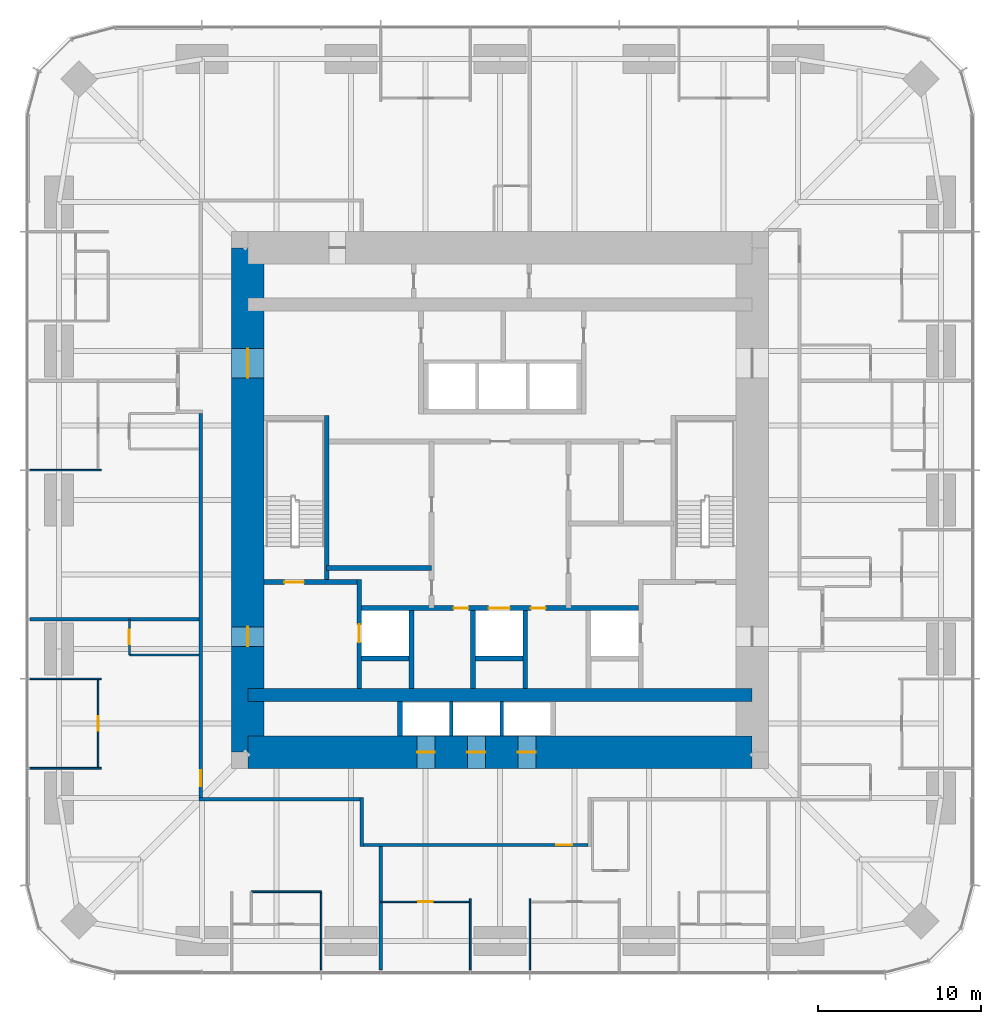
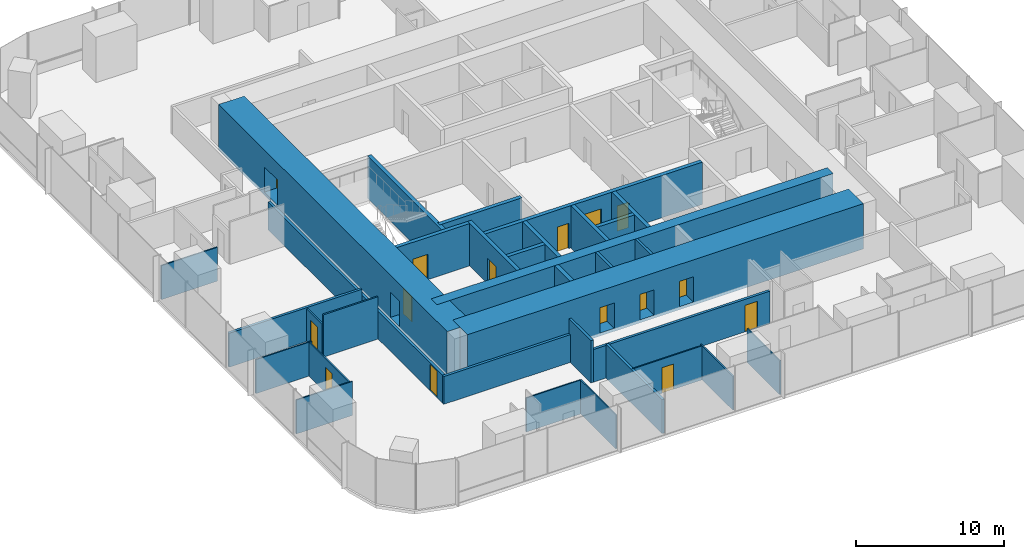
# One storey, part 9 of 13: 33 walls, 15 doors, 15 openings.
"""IFC4 building model written with IfcOpenShell, lengths in metres."""

from ifc_helpers import new_model, si_unit, direction, frame, frame_2d, origin, place, context, subcontext, project, spatial, rectangle, extrude, material, layer, layer_set, type_object, element, fill, save


model = new_model("IFC4")

# Units and contexts
model_context = context("Model", 3, precision=1e-05, world=origin(), true_north=direction((0.0, 1.0)))
body_context = subcontext(model_context, "Body", "Model", "MODEL_VIEW")
ifc_project = project(units=[si_unit("LENGTHUNIT", "METRE"), si_unit("AREAUNIT", "SQUARE_METRE"), si_unit("VOLUMEUNIT", "CUBIC_METRE"), si_unit("PLANEANGLEUNIT", "RADIAN"), si_unit("MASSUNIT", "GRAM", prefix="KILO")], contexts=[model_context])

# Site, building, storey
site_placement = place(None, origin())
site = spatial("IfcSite", under=ifc_project, at=site_placement, CompositionType="ELEMENT")
building_placement = place(site_placement, origin())
building = spatial("IfcBuilding", under=site, at=building_placement, Name="Khuree Lantern Residences", CompositionType="ELEMENT")
storey_placement = place(building_placement, frame((0.0, 0.0, 122.25)))
storey = spatial("IfcBuildingStorey", under=building, at=storey_placement, Name="L30", CompositionType="ELEMENT", Elevation=122.25)

# Wall, opening, door
ifc_material_1 = material(Name="Moisture-resistant gypsum board on steel studs", Category="steel")
ifc_layer_1 = layer(ifc_material_1, 0.125)
ifc_layer_set_1 = layer_set([ifc_layer_1], Name="BATHROOM WALL BTW125")
wall_type_1 = type_object("IfcWallType", Name="BATHROOM WALL BTW125", PredefinedType="PARTITIONING", material=ifc_layer_set_1)
wall_1_placement = place(storey_placement, frame((-22.77978515625, -7.327880859375, 0.0), z_axis=(0.0, 0.0, 1.0), x_axis=(0.0, -1.0, 0.0)))
wall_1 = element("IfcWall", 1, at=wall_1_placement, inside=storey, type_object=wall_type_1, Name="L30 BATHROOM WALL 05", PredefinedType="PARTITIONING", context=body_context, shape_type="SweptSolid", body=[
    extrude(rectangle(XDim=2.2001953125, YDim=0.125, at=frame_2d((1.10009765625, 0.0))), origin(), (0.0, 0.0, 1.0), 2.699951171875),
])
opening_1_placement = place(wall_1_placement, frame((0.64990234375, 0.0, 0.0)))
opening_1 = element("IfcOpeningElement", 2, at=opening_1_placement, cuts=wall_1, Name="Opening 30-046", PredefinedType="OPENING", context=body_context, shape_type="SweptSolid", body=[
    extrude(rectangle(XDim=0.89990234375, YDim=2.10009765625, at=frame_2d((0.449951171875, 1.050048828125))), frame((0.0, 0.072509765625, 0.0), z_axis=(0.0, -1.0, 0.0), x_axis=(1.0, 0.0, 0.0)), (0.0, 0.0, 1.0), 0.14501953125),
])
ifc_material_2 = material(Name="Timber door leaf in hardwood frame", Category="wood")
door_type_1 = type_object("IfcDoorType", Name="BATHROOM DOOR 900X2100", OperationType="SINGLE_SWING_LEFT", PredefinedType="DOOR", material=ifc_material_2)
door_1_placement = place(opening_1_placement, origin())
door_1 = element("IfcDoor", 3, at=door_1_placement, inside=storey, type_object=door_type_1, Name="Bathroom door 30-046", OperationType="SINGLE_SWING_LEFT", OverallHeight=2.10009765625, OverallWidth=0.89990234375, PredefinedType="DOOR", context=body_context, shape_type="SweptSolid", body=[
    extrude(rectangle(XDim=0.89990234375, YDim=2.10009765625, at=frame_2d((0.449951171875, 1.050048828125))), frame((0.0, 0.02490234375, 0.0), z_axis=(0.0, -1.0, 0.0), x_axis=(1.0, 0.0, 0.0)), (0.0, 0.0, 1.0), 0.050048828125),
])
fill(opening_1, door_1)

# Wall
wall_2_placement = place(storey_placement, frame((-18.5, -9.528076171875, 0.0), z_axis=(0.0, 0.0, 1.0), x_axis=(-1.0, 0.0, 0.0)))
element("IfcWall", 4, at=wall_2_placement, inside=storey, type_object=wall_type_1, Name="L30 BATHROOM WALL 05", PredefinedType="PARTITIONING", context=body_context, shape_type="SweptSolid", body=[
    extrude(rectangle(XDim=4.27978515625, YDim=0.125, at=frame_2d((2.139892578125, 0.0))), origin(), (0.0, 0.0, 1.0), 3.5),
])

# Wall, opening, door
ifc_material_3 = material(Name="Dense concrete blockwork", Category="masonry")
ifc_layer_2 = layer(ifc_material_3, 0.300048828125)
ifc_layer_set_2 = layer_set([ifc_layer_2], Name="CORE PARTITION WALL CPW300 EI 120")
wall_type_2 = type_object("IfcWallType", Name="CORE PARTITION WALL CPW300 EI 120", PredefinedType="PARTITIONING", material=ifc_layer_set_2)
wall_3_placement = place(storey_placement, frame((-8.64990234375, -11.60009765625, 0.0), z_axis=(0.0, 0.0, 1.0), x_axis=(0.0, 1.0, 0.0)))
wall_3 = element("IfcWall", 5, at=wall_3_placement, inside=storey, type_object=wall_type_2, Name="L30 CORE WALL FL1W", PredefinedType="PARTITIONING", context=body_context, shape_type="SweptSolid", body=[
    extrude(rectangle(XDim=6.7001953125, YDim=0.300048828125, at=frame_2d((3.35009765625, 0.0))), origin(), (0.0, 0.0, 1.0), 3.5),
])
opening_2_placement = place(wall_3_placement, frame((2.85009765625, 0.0, 0.0)))
opening_2 = element("IfcOpeningElement", 6, at=opening_2_placement, cuts=wall_3, Name="Opening 30-007", PredefinedType="OPENING", context=body_context, shape_type="SweptSolid", body=[
    extrude(rectangle(XDim=1.10009765625, YDim=2.10009765625, at=frame_2d((0.550048828125, 1.050048828125))), frame((0.0, 0.16015625, 0.0), z_axis=(0.0, -1.0, 0.0), x_axis=(1.0, 0.0, 0.0)), (0.0, 0.0, 1.0), 0.320068359375),
])
ifc_material_4 = material(Name="Stainless steel lift landing door", Category="steel")
door_type_2 = type_object("IfcDoorType", Name="LIFT LANDING DOOR 1100X2100 E 120", OperationType="DOUBLE_DOOR_SLIDING", PredefinedType="DOOR", material=ifc_material_4)
door_2_placement = place(opening_2_placement, origin())
door_2 = element("IfcDoor", 7, at=door_2_placement, inside=storey, type_object=door_type_2, Name="Landing door FL1 30-007", OperationType="DOUBLE_DOOR_SLIDING", OverallHeight=2.10009765625, OverallWidth=1.10009765625, PredefinedType="DOOR", context=body_context, shape_type="SweptSolid", body=[
    extrude(rectangle(XDim=1.10009765625, YDim=2.10009765625, at=frame_2d((0.550048828125, 1.050048828125))), frame((0.0, 0.02490234375, 0.0), z_axis=(0.0, -1.0, 0.0), x_axis=(1.0, 0.0, 0.0)), (0.0, 0.0, 1.0), 0.050048828125),
])
fill(opening_2, door_2)

# Wall, openings, doors
wall_4_placement = place(storey_placement, frame((-8.5, -6.64990234375, 0.0), z_axis=(0.0, 0.0, 1.0), x_axis=(1.0, 0.0, 0.0)))
wall_4 = element("IfcWall", 8, at=wall_4_placement, inside=storey, type_object=wall_type_2, Name="L30 CORE WALL FLROW", PredefinedType="PARTITIONING", context=body_context, shape_type="SweptSolid", body=[
    extrude(rectangle(XDim=17.0, YDim=0.300048828125, at=frame_2d((8.5, 0.0))), origin(), (0.0, 0.0, 1.0), 3.5),
])
opening_3_placement = place(wall_4_placement, frame((7.800048828125, 0.0, 0.0)))
opening_3 = element("IfcOpeningElement", 9, at=opening_3_placement, cuts=wall_4, Name="Opening 30-012", PredefinedType="OPENING", context=body_context, shape_type="SweptSolid", body=[
    extrude(rectangle(XDim=1.300048828125, YDim=2.39990234375, at=frame_2d((0.64990234375, 1.199951171875))), frame((0.0, 0.16015625, 0.0), z_axis=(0.0, -1.0, 0.0), x_axis=(1.0, 0.0, 0.0)), (0.0, 0.0, 1.0), 0.320068359375),
])
opening_4_placement = place(wall_4_placement, frame((5.64990234375, 0.0, 0.0)))
opening_4 = element("IfcOpeningElement", 10, at=opening_4_placement, cuts=wall_4, Name="Opening 30-014", PredefinedType="OPENING", context=body_context, shape_type="SweptSolid", body=[
    extrude(rectangle(XDim=0.89990234375, YDim=2.10009765625, at=frame_2d((0.449951171875, 1.050048828125))), frame((0.0, 0.16015625, 0.0), z_axis=(0.0, -1.0, 0.0), x_axis=(1.0, 0.0, 0.0)), (0.0, 0.0, 1.0), 0.320068359375),
])
opening_5_placement = place(wall_4_placement, frame((10.39990234375, 0.0, 0.0)))
opening_5 = element("IfcOpeningElement", 11, at=opening_5_placement, cuts=wall_4, Name="Opening 30-015", PredefinedType="OPENING", context=body_context, shape_type="SweptSolid", body=[
    extrude(rectangle(XDim=0.89990234375, YDim=2.10009765625, at=frame_2d((0.449951171875, 1.050048828125))), frame((0.0, 0.16015625, 0.0), z_axis=(0.0, -1.0, 0.0), x_axis=(1.0, 0.0, 0.0)), (0.0, 0.0, 1.0), 0.320068359375),
])
ifc_material_5 = material(Name="Steel door leaf in steel frame", Category="steel")
door_type_3 = type_object("IfcDoorType", Name="DOOR 900X2100 EI 60", OperationType="SINGLE_SWING_LEFT", PredefinedType="DOOR", material=ifc_material_5)
door_3_placement = place(opening_4_placement, origin())
door_3 = element("IfcDoor", 12, at=door_3_placement, inside=storey, type_object=door_type_3, Name="Refuse chute room door 30-014", OperationType="SINGLE_SWING_LEFT", OverallHeight=2.10009765625, OverallWidth=0.89990234375, PredefinedType="DOOR", context=body_context, shape_type="SweptSolid", body=[
    extrude(rectangle(XDim=0.89990234375, YDim=2.10009765625, at=frame_2d((0.449951171875, 1.050048828125))), frame((0.0, 0.02490234375, 0.0), z_axis=(0.0, -1.0, 0.0), x_axis=(1.0, 0.0, 0.0)), (0.0, 0.0, 1.0), 0.050048828125),
])
fill(opening_4, door_3)
door_type_4 = type_object("IfcDoorType", Name="DOOR 900X2100 EI 60 RIGHT HAND", OperationType="SINGLE_SWING_RIGHT", PredefinedType="DOOR", material=ifc_material_5)
door_4_placement = place(opening_5_placement, origin())
door_4 = element("IfcDoor", 13, at=door_4_placement, inside=storey, type_object=door_type_4, Name="Electrical and plumbing riser door 30-015", OperationType="SINGLE_SWING_RIGHT", OverallHeight=2.10009765625, OverallWidth=0.89990234375, PredefinedType="DOOR", context=body_context, shape_type="SweptSolid", body=[
    extrude(rectangle(XDim=0.89990234375, YDim=2.10009765625, at=frame_2d((0.449951171875, 1.050048828125))), frame((0.0, 0.02490234375, 0.0), z_axis=(0.0, -1.0, 0.0), x_axis=(1.0, 0.0, 0.0)), (0.0, 0.0, 1.0), 0.050048828125),
])
fill(opening_5, door_4)
door_type_5 = type_object("IfcDoorType", Name="LIFT LANDING DOOR 1300X2400 E 60", OperationType="DOUBLE_DOOR_SLIDING", PredefinedType="DOOR", material=ifc_material_4)
door_5_placement = place(opening_3_placement, origin())
door_5 = element("IfcDoor", 14, at=door_5_placement, inside=storey, type_object=door_type_5, Name="Landing door SL1 30-012", OperationType="DOUBLE_DOOR_SLIDING", OverallHeight=2.39990234375, OverallWidth=1.300048828125, PredefinedType="DOOR", context=body_context, shape_type="SweptSolid", body=[
    extrude(rectangle(XDim=1.300048828125, YDim=2.39990234375, at=frame_2d((0.64990234375, 1.199951171875))), frame((0.0, 0.02490234375, 0.0), z_axis=(0.0, -1.0, 0.0), x_axis=(1.0, 0.0, 0.0)), (0.0, 0.0, 1.0), 0.050048828125),
])
fill(opening_3, door_5)

# Walls
for number, where, z_axis, x_axis, name in (
    (15, (-5.449951171875, -11.60009765625, 0.0), (0.0, 0.0, 1.0), (0.0, 1.0, 0.0), "L30 CORE WALL FL1E"),
    (16, (-1.64990234375, -11.60009765625, 0.0), (0.0, 0.0, 1.0), (0.0, 1.0, 0.0), "L30 CORE WALL SL1W"),
    (17, (1.550048828125, -11.60009765625, 0.0), (0.0, 0.0, 1.0), (0.0, 1.0, 0.0), "L30 CORE WALL SL1E"),
):
    element("IfcWall", number, at=place(storey_placement, frame(where, z_axis=z_axis, x_axis=x_axis)), inside=storey, type_object=wall_type_2, Name=name, PredefinedType="PARTITIONING", context=body_context, shape_type="SweptSolid", body=[
        extrude(rectangle(XDim=4.800048828125, YDim=0.300048828125, at=frame_2d((2.39990234375, 0.0))), origin(), (0.0, 0.0, 1.0), 3.5),
    ])
for number, where, z_axis, x_axis, name in (
    (18, (-8.5, -9.75, 0.0), (0.0, 0.0, 1.0), (1.0, 0.0, 0.0), "L30 CORE WALL FL1S"),
    (19, (-1.5, -9.75, 0.0), (0.0, 0.0, 1.0), (1.0, 0.0, 0.0), "L30 CORE WALL SL1S"),
):
    element("IfcWall", number, at=place(storey_placement, frame(where, z_axis=z_axis, x_axis=x_axis)), inside=storey, type_object=wall_type_2, Name=name, PredefinedType="PARTITIONING", context=body_context, shape_type="SweptSolid", body=[
        extrude(rectangle(XDim=2.89990234375, YDim=0.300048828125, at=frame_2d((1.449951171875, 0.0))), origin(), (0.0, 0.0, 1.0), 3.5),
    ])
wall_5_placement = place(storey_placement, frame((-6.14990234375, -14.5, 0.0), z_axis=(0.0, 0.0, 1.0), x_axis=(0.0, 1.0, 0.0)))
element("IfcWall", 20, at=wall_5_placement, inside=storey, type_object=wall_type_2, Name="L30 CORE WALL PMW", PredefinedType="PARTITIONING", context=body_context, shape_type="SweptSolid", body=[
    extrude(rectangle(XDim=2.10009765625, YDim=0.300048828125, at=frame_2d((1.050048828125, 0.0))), origin(), (0.0, 0.0, 1.0), 3.5),
])
wall_6_placement = place(storey_placement, frame((-10.64990234375, -4.177001953125, 0.0), z_axis=(0.0, 0.0, 1.0), x_axis=(1.0, 0.0, 0.0)))
element("IfcWall", 21, at=wall_6_placement, inside=storey, type_object=wall_type_2, Name="L30 CORE WALL WX", PredefinedType="PARTITIONING", context=body_context, shape_type="SweptSolid", body=[
    extrude(rectangle(XDim=6.449951171875, YDim=0.300048828125, at=frame_2d((3.22509765625, 0.0))), origin(), (0.0, 0.0, 1.0), 3.5),
])

# Wall, opening, door
ifc_material_6 = material(Name="Gypsum board on steel studs", Category="steel")
ifc_layer_3 = layer(ifc_material_6, 0.199951171875)
ifc_layer_set_3 = layer_set([ifc_layer_3], Name="CORRIDOR WALL CRW200 EI 60")
wall_type_3 = type_object("IfcWallType", Name="CORRIDOR WALL CRW200 EI 60", PredefinedType="PARTITIONING", material=ifc_layer_set_3)
wall_7_placement = place(storey_placement, frame((-18.39990234375, 5.327880859375, 0.0), z_axis=(0.0, 0.0, 1.0), x_axis=(0.0, -1.0, 0.0)))
wall_7 = element("IfcWall", 22, at=wall_7_placement, inside=storey, type_object=wall_type_3, Name="L30 CORRIDOR WALL WEST 2", PredefinedType="PARTITIONING", context=body_context, shape_type="SweptSolid", body=[
    extrude(rectangle(XDim=23.6279296875, YDim=0.199951171875, at=frame_2d((11.81396484375, 0.0))), origin(), (0.0, 0.0, 1.0), 2.300048828125),
])
opening_6_placement = place(wall_7_placement, frame((21.926025390625, 0.0, 0.0)))
opening_6 = element("IfcOpeningElement", 23, at=opening_6_placement, cuts=wall_7, Name="Opening 30-047", PredefinedType="OPENING", context=body_context, shape_type="SweptSolid", body=[
    extrude(rectangle(XDim=1.0, YDim=2.199951171875, at=frame_2d((0.5, 1.10009765625))), frame((0.0, 0.10986328125, 0.0), z_axis=(0.0, -1.0, 0.0), x_axis=(1.0, 0.0, 0.0)), (0.0, 0.0, 1.0), 0.219970703125),
])
door_type_6 = type_object("IfcDoorType", Name="APARTMENT ENTRANCE DOOR 1000X2200 EI 30S RIGHT HAND", OperationType="SINGLE_SWING_RIGHT", PredefinedType="DOOR", material=ifc_material_2)
door_6_placement = place(opening_6_placement, origin())
door_6 = element("IfcDoor", 24, at=door_6_placement, inside=storey, type_object=door_type_6, Name="Apartment 05 entrance door 30-047", OperationType="SINGLE_SWING_RIGHT", OverallHeight=2.199951171875, OverallWidth=1.0, PredefinedType="DOOR", context=body_context, shape_type="SweptSolid", body=[
    extrude(rectangle(XDim=1.0, YDim=2.199951171875, at=frame_2d((0.5, 1.10009765625))), frame((0.0, 0.02490234375, 0.0), z_axis=(0.0, -1.0, 0.0), x_axis=(1.0, 0.0, 0.0)), (0.0, 0.0, 1.0), 0.050048828125),
])
fill(opening_6, door_6)

# Wall
wall_8_placement = place(storey_placement, frame((-8.5, -18.300048828125, 0.0), z_axis=(0.0, 0.0, 1.0), x_axis=(0.0, -1.0, 0.0)))
element("IfcWall", 25, at=wall_8_placement, inside=storey, type_object=wall_type_3, Name="L30 LIFT LOBBY WALL", PredefinedType="PARTITIONING", context=body_context, shape_type="SweptSolid", body=[
    extrude(rectangle(XDim=3.0, YDim=0.199951171875, at=frame_2d((1.5, 0.0))), origin(), (0.0, 0.0, 1.0), 3.5),
])

# Wall, opening, door
wall_9_placement = place(storey_placement, frame((5.39990234375, -21.199951171875, 0.0), z_axis=(0.0, 0.0, 1.0), x_axis=(-1.0, 0.0, 0.0)))
wall_9 = element("IfcWall", 26, at=wall_9_placement, inside=storey, type_object=wall_type_3, Name="L30 LIFT LOBBY WALL", PredefinedType="PARTITIONING", context=body_context, shape_type="SweptSolid", body=[
    extrude(rectangle(XDim=13.7998046875, YDim=0.199951171875, at=frame_2d((6.89990234375, 0.0))), origin(), (0.0, 0.0, 1.0), 2.699951171875),
])
opening_7_placement = place(wall_9_placement, frame((0.9580078125, 0.0, 0.0)))
opening_7 = element("IfcOpeningElement", 27, at=opening_7_placement, cuts=wall_9, Name="Opening 30-053", PredefinedType="OPENING", context=body_context, shape_type="SweptSolid", body=[
    extrude(rectangle(XDim=1.0, YDim=2.199951171875, at=frame_2d((0.5, 1.10009765625))), frame((0.0, 0.10986328125, 0.0), z_axis=(0.0, -1.0, 0.0), x_axis=(1.0, 0.0, 0.0)), (0.0, 0.0, 1.0), 0.219970703125),
])
door_type_7 = type_object("IfcDoorType", Name="APARTMENT ENTRANCE DOOR 1000X2200 EI 30S", OperationType="SINGLE_SWING_LEFT", PredefinedType="DOOR", material=ifc_material_2)
door_7_placement = place(opening_7_placement, origin())
door_7 = element("IfcDoor", 28, at=door_7_placement, inside=storey, type_object=door_type_7, Name="Apartment 06 entrance door 30-053", OperationType="SINGLE_SWING_LEFT", OverallHeight=2.199951171875, OverallWidth=1.0, PredefinedType="DOOR", context=body_context, shape_type="SweptSolid", body=[
    extrude(rectangle(XDim=1.0, YDim=2.199951171875, at=frame_2d((0.5, 1.10009765625))), frame((0.0, 0.02490234375, 0.0), z_axis=(0.0, -1.0, 0.0), x_axis=(1.0, 0.0, 0.0)), (0.0, 0.0, 1.0), 0.050048828125),
])
fill(opening_7, door_7)

# Wall
wall_10_placement = place(storey_placement, frame((-8.60009765625, -18.39990234375, 0.0), z_axis=(0.0, 0.0, 1.0), x_axis=(-1.0, 0.0, 0.0)))
element("IfcWall", 29, at=wall_10_placement, inside=storey, type_object=wall_type_3, Name="L30 CORRIDOR WALL SOUTH 2", PredefinedType="PARTITIONING", context=body_context, shape_type="SweptSolid", body=[
    extrude(rectangle(XDim=9.89990234375, YDim=0.199951171875, at=frame_2d((4.949951171875, 0.0))), origin(), (0.0, 0.0, 1.0), 2.300048828125),
])

# Wall, openings, doors
ifc_material_7 = material(Name="Concrete C70/85", Category="concrete")
ifc_layer_4 = layer(ifc_material_7, 2.0)
ifc_layer_set_4 = layer_set([ifc_layer_4], Name="CW2000-C70 CORE WALL C70 2000")
wall_type_4 = type_object("IfcWallType", Name="CW2000-C70 CORE WALL C70 2000", PredefinedType="SHEAR", material=ifc_layer_set_4)
wall_11_placement = place(storey_placement, frame((-15.5, -15.5, -0.25), z_axis=(0.0, 0.0, 1.0), x_axis=(1.0, 0.0, 0.0)))
wall_11 = element("IfcWall", 30, at=wall_11_placement, inside=storey, type_object=wall_type_4, Name="Core wall S", PredefinedType="SHEAR", context=body_context, shape_type="SweptSolid", body=[
    extrude(rectangle(XDim=31.0, YDim=2.0, at=frame_2d((15.5, 0.0))), origin(), (0.0, 0.0, 1.0), 3.75),
])
opening_8_placement = place(wall_11_placement, frame((10.39990234375, 0.0, 0.25)))
opening_8 = element("IfcOpeningElement", 31, at=opening_8_placement, cuts=wall_11, Name="Opening 30-009", PredefinedType="OPENING", context=body_context, shape_type="SweptSolid", body=[
    extrude(rectangle(XDim=1.10009765625, YDim=2.10009765625, at=frame_2d((0.550048828125, 1.050048828125))), frame((0.0, 1.010009765625, 0.0), z_axis=(0.0, -1.0, 0.0), x_axis=(1.0, 0.0, 0.0)), (0.0, 0.0, 1.0), 2.02001953125),
])
opening_9_placement = place(wall_11_placement, frame((13.5, 0.0, 0.25)))
opening_9 = element("IfcOpeningElement", 32, at=opening_9_placement, cuts=wall_11, Name="Opening 30-010", PredefinedType="OPENING", context=body_context, shape_type="SweptSolid", body=[
    extrude(rectangle(XDim=1.10009765625, YDim=2.10009765625, at=frame_2d((0.550048828125, 1.050048828125))), frame((0.0, 1.010009765625, 0.0), z_axis=(0.0, -1.0, 0.0), x_axis=(1.0, 0.0, 0.0)), (0.0, 0.0, 1.0), 2.02001953125),
])
opening_10_placement = place(wall_11_placement, frame((16.60009765625, 0.0, 0.25)))
opening_10 = element("IfcOpeningElement", 33, at=opening_10_placement, cuts=wall_11, Name="Opening 30-011", PredefinedType="OPENING", context=body_context, shape_type="SweptSolid", body=[
    extrude(rectangle(XDim=1.10009765625, YDim=2.10009765625, at=frame_2d((0.550048828125, 1.050048828125))), frame((0.0, 1.010009765625, 0.0), z_axis=(0.0, -1.0, 0.0), x_axis=(1.0, 0.0, 0.0)), (0.0, 0.0, 1.0), 2.02001953125),
])
door_type_8 = type_object("IfcDoorType", Name="LIFT LANDING DOOR 1100X2100 E 60", OperationType="DOUBLE_DOOR_SLIDING", PredefinedType="DOOR", material=ifc_material_4)
door_8_placement = place(opening_8_placement, origin())
door_8 = element("IfcDoor", 34, at=door_8_placement, inside=storey, type_object=door_type_8, Name="Landing door PM1 30-009", OperationType="DOUBLE_DOOR_SLIDING", OverallHeight=2.10009765625, OverallWidth=1.10009765625, PredefinedType="DOOR", context=body_context, shape_type="SweptSolid", body=[
    extrude(rectangle(XDim=1.10009765625, YDim=2.10009765625, at=frame_2d((0.550048828125, 1.050048828125))), frame((0.0, 0.02490234375, 0.0), z_axis=(0.0, -1.0, 0.0), x_axis=(1.0, 0.0, 0.0)), (0.0, 0.0, 1.0), 0.050048828125),
])
fill(opening_8, door_8)
door_9_placement = place(opening_9_placement, origin())
door_9 = element("IfcDoor", 35, at=door_9_placement, inside=storey, type_object=door_type_8, Name="Landing door PM2 30-010", OperationType="DOUBLE_DOOR_SLIDING", OverallHeight=2.10009765625, OverallWidth=1.10009765625, PredefinedType="DOOR", context=body_context, shape_type="SweptSolid", body=[
    extrude(rectangle(XDim=1.10009765625, YDim=2.10009765625, at=frame_2d((0.550048828125, 1.050048828125))), frame((0.0, 0.02490234375, 0.0), z_axis=(0.0, -1.0, 0.0), x_axis=(1.0, 0.0, 0.0)), (0.0, 0.0, 1.0), 0.050048828125),
])
fill(opening_9, door_9)
door_10_placement = place(opening_10_placement, origin())
door_10 = element("IfcDoor", 36, at=door_10_placement, inside=storey, type_object=door_type_8, Name="Landing door PM3 30-011", OperationType="DOUBLE_DOOR_SLIDING", OverallHeight=2.10009765625, OverallWidth=1.10009765625, PredefinedType="DOOR", context=body_context, shape_type="SweptSolid", body=[
    extrude(rectangle(XDim=1.10009765625, YDim=2.10009765625, at=frame_2d((0.550048828125, 1.050048828125))), frame((0.0, 0.02490234375, 0.0), z_axis=(0.0, -1.0, 0.0), x_axis=(1.0, 0.0, 0.0)), (0.0, 0.0, 1.0), 0.050048828125),
])
fill(opening_10, door_10)

wall_12_placement = place(storey_placement, frame((-15.5, -15.5, -0.25), z_axis=(0.0, 0.0, 1.0), x_axis=(0.0, 1.0, 0.0)))
wall_12 = element("IfcWall", 37, at=wall_12_placement, inside=storey, type_object=wall_type_4, Name="Core wall W", PredefinedType="SHEAR", context=body_context, shape_type="SweptSolid", body=[
    extrude(rectangle(XDim=31.0, YDim=2.0, at=frame_2d((15.5, 0.0))), origin(), (0.0, 0.0, 1.0), 3.75),
])
opening_11_placement = place(wall_12_placement, frame((6.5, 0.0, 0.25)))
opening_11 = element("IfcOpeningElement", 38, at=opening_11_placement, cuts=wall_12, Name="Opening 30-002", PredefinedType="OPENING", context=body_context, shape_type="SweptSolid", body=[
    extrude(rectangle(XDim=1.199951171875, YDim=2.10009765625, at=frame_2d((0.60009765625, 1.050048828125))), frame((0.0, 1.010009765625, 0.0), z_axis=(0.0, -1.0, 0.0), x_axis=(1.0, 0.0, 0.0)), (0.0, 0.0, 1.0), 2.02001953125),
])
opening_12_placement = place(wall_12_placement, frame((23.0, 0.0, 0.25)))
opening_12 = element("IfcOpeningElement", 39, at=opening_12_placement, cuts=wall_12, Name="Opening 30-003", PredefinedType="OPENING", context=body_context, shape_type="SweptSolid", body=[
    extrude(rectangle(XDim=1.800048828125, YDim=2.10009765625, at=frame_2d((0.89990234375, 1.050048828125))), frame((0.0, 1.010009765625, 0.0), z_axis=(0.0, -1.0, 0.0), x_axis=(1.0, 0.0, 0.0)), (0.0, 0.0, 1.0), 2.02001953125),
])
door_type_9 = type_object("IfcDoorType", Name="LOBBY DOOR 1200X2100 EI 120", OperationType="SINGLE_SWING_LEFT", PredefinedType="DOOR", material=ifc_material_5)
door_11_placement = place(opening_11_placement, origin())
door_11 = element("IfcDoor", 40, at=door_11_placement, inside=storey, type_object=door_type_9, Name="Firefighting lobby door 30-002", OperationType="SINGLE_SWING_LEFT", OverallHeight=2.10009765625, OverallWidth=1.199951171875, PredefinedType="DOOR", context=body_context, shape_type="SweptSolid", body=[
    extrude(rectangle(XDim=1.199951171875, YDim=2.10009765625, at=frame_2d((0.60009765625, 1.050048828125))), frame((0.0, 0.02490234375, 0.0), z_axis=(0.0, -1.0, 0.0), x_axis=(1.0, 0.0, 0.0)), (0.0, 0.0, 1.0), 0.050048828125),
])
fill(opening_11, door_11)
door_type_10 = type_object("IfcDoorType", Name="LOBBY DOUBLE DOOR 1800X2100 EI 60", OperationType="DOUBLE_DOOR_SINGLE_SWING", PredefinedType="DOOR", material=ifc_material_5)
door_12_placement = place(opening_12_placement, origin())
door_12 = element("IfcDoor", 41, at=door_12_placement, inside=storey, type_object=door_type_10, Name="Lift lobby door 30-003", OperationType="DOUBLE_DOOR_SINGLE_SWING", OverallHeight=2.10009765625, OverallWidth=1.800048828125, PredefinedType="DOOR", context=body_context, shape_type="SweptSolid", body=[
    extrude(rectangle(XDim=1.800048828125, YDim=2.10009765625, at=frame_2d((0.89990234375, 1.050048828125))), frame((0.0, 0.02490234375, 0.0), z_axis=(0.0, -1.0, 0.0), x_axis=(1.0, 0.0, 0.0)), (0.0, 0.0, 1.0), 0.050048828125),
])
fill(opening_12, door_12)

# Walls
ifc_layer_5 = layer(ifc_material_6, 0.199951171875)
ifc_layer_set_5 = layer_set([ifc_layer_5], Name="DEMISING WALL DMW200 EI 90")
wall_type_5 = type_object("IfcWallType", Name="DEMISING WALL DMW200 EI 90", PredefinedType="PARTITIONING", material=ifc_layer_set_5)
wall_13_placement = place(storey_placement, frame((-18.5, -7.327880859375, 0.0), z_axis=(0.0, 0.0, 1.0), x_axis=(-1.0, 0.0, 0.0)))
element("IfcWall", 42, at=wall_13_placement, inside=storey, type_object=wall_type_5, Name="L30 DEMISING WALL 05", PredefinedType="PARTITIONING", context=body_context, shape_type="SweptSolid", body=[
    extrude(rectangle(XDim=10.39990234375, YDim=0.199951171875, at=frame_2d((5.199951171875, 0.0))), origin(), (0.0, 0.0, 1.0), 2.81005859375),
])
wall_14_placement = place(storey_placement, frame((-7.327880859375, -21.300048828125, 0.0), z_axis=(0.0, 0.0, 1.0), x_axis=(0.0, -1.0, 0.0)))
element("IfcWall", 43, at=wall_14_placement, inside=storey, type_object=wall_type_5, Name="L30 DEMISING WALL 06", PredefinedType="PARTITIONING", context=body_context, shape_type="SweptSolid", body=[
    extrude(rectangle(XDim=7.599853515625, YDim=0.199951171875, at=frame_2d((3.7998046875, 0.0))), origin(), (0.0, 0.0, 1.0), 2.81005859375),
])
ifc_layer_6 = layer(ifc_material_6, 0.10009765625)
ifc_layer_set_6 = layer_set([ifc_layer_6], Name="PARTITION PT100")
wall_type_6 = type_object("IfcWallType", Name="PARTITION PT100", PredefinedType="PARTITIONING", material=ifc_layer_set_6)
for number, where, z_axis, x_axis, name in (
    (44, (-24.5, 1.83203125, 0.0), (0.0, 0.0, 1.0), (-1.0, 0.0, 0.0), "L30 PARTITION 04"),
    (45, (-24.5, -10.991943359375, 0.0), (0.0, 0.0, 1.0), (-1.0, 0.0, 0.0), "L30 PARTITION 05"),
    (46, (-24.5, -16.488037109375, 0.0), (0.0, 0.0, 1.0), (-1.0, 0.0, 0.0), "L30 PARTITION 05"),
):
    element("IfcWall", number, at=place(storey_placement, frame(where, z_axis=z_axis, x_axis=x_axis)), inside=storey, type_object=wall_type_6, Name=name, PredefinedType="PARTITIONING", context=body_context, shape_type="SweptSolid", body=[
        extrude(rectangle(XDim=4.39990234375, YDim=0.10009765625, at=frame_2d((2.199951171875, 0.0))), origin(), (0.0, 0.0, 1.0), 2.81005859375),
    ])
wall_15_placement = place(storey_placement, frame((-10.991943359375, -24.079833984375, 0.0), z_axis=(0.0, 0.0, 1.0), x_axis=(0.0, -1.0, 0.0)))
element("IfcWall", 47, at=wall_15_placement, inside=storey, type_object=wall_type_6, Name="L30 PARTITION 05", PredefinedType="PARTITIONING", context=body_context, shape_type="SweptSolid", body=[
    extrude(rectangle(XDim=4.820068359375, YDim=0.10009765625, at=frame_2d((2.41015625, 0.0))), origin(), (0.0, 0.0, 1.0), 2.81005859375),
])
for number, where, z_axis, x_axis, name in (
    (48, (-1.83203125, -24.5, 0.0), (0.0, 0.0, 1.0), (0.0, -1.0, 0.0), "L30 PARTITION 06"),
    (49, (1.83203125, -24.5, 0.0), (0.0, 0.0, 1.0), (0.0, -1.0, 0.0), "L30 PARTITION 06"),
):
    element("IfcWall", number, at=place(storey_placement, frame(where, z_axis=z_axis, x_axis=x_axis)), inside=storey, type_object=wall_type_6, Name=name, PredefinedType="PARTITIONING", context=body_context, shape_type="SweptSolid", body=[
        extrude(rectangle(XDim=4.39990234375, YDim=0.10009765625, at=frame_2d((2.199951171875, 0.0))), origin(), (0.0, 0.0, 1.0), 2.81005859375),
    ])

# Wall, opening, door
wall_16_placement = place(storey_placement, frame((-24.699951171875, -10.991943359375, 0.0), z_axis=(0.0, 0.0, 1.0), x_axis=(0.0, -1.0, 0.0)))
wall_16 = element("IfcWall", 50, at=wall_16_placement, inside=storey, type_object=wall_type_6, Name="L30 PARTITION 05", PredefinedType="PARTITIONING", context=body_context, shape_type="SweptSolid", body=[
    extrude(rectangle(XDim=5.49609375, YDim=0.10009765625, at=frame_2d((2.748046875, 0.0))), origin(), (0.0, 0.0, 1.0), 2.81005859375),
])
opening_13_placement = place(wall_16_placement, frame((2.298095703125, 0.0, 0.0)))
opening_13 = element("IfcOpeningElement", 51, at=opening_13_placement, cuts=wall_16, Name="Opening 30-043", PredefinedType="OPENING", context=body_context, shape_type="SweptSolid", body=[
    extrude(rectangle(XDim=0.89990234375, YDim=2.10009765625, at=frame_2d((0.449951171875, 1.050048828125))), frame((0.0, 0.06005859375, 0.0), z_axis=(0.0, -1.0, 0.0), x_axis=(1.0, 0.0, 0.0)), (0.0, 0.0, 1.0), 0.1201171875),
])
door_type_11 = type_object("IfcDoorType", Name="BEDROOM DOOR 900X2100", OperationType="SINGLE_SWING_LEFT", PredefinedType="DOOR", material=ifc_material_2)
door_13_placement = place(opening_13_placement, origin())
door_13 = element("IfcDoor", 52, at=door_13_placement, inside=storey, type_object=door_type_11, Name="Bedroom door 30-043", OperationType="SINGLE_SWING_LEFT", OverallHeight=2.10009765625, OverallWidth=0.89990234375, PredefinedType="DOOR", context=body_context, shape_type="SweptSolid", body=[
    extrude(rectangle(XDim=0.89990234375, YDim=2.10009765625, at=frame_2d((0.449951171875, 1.050048828125))), frame((0.0, 0.02490234375, 0.0), z_axis=(0.0, -1.0, 0.0), x_axis=(1.0, 0.0, 0.0)), (0.0, 0.0, 1.0), 0.050048828125),
])
fill(opening_13, door_13)

# Wall
wall_17_placement = place(storey_placement, frame((-15.2880859375, -24.079833984375, 0.0), z_axis=(0.0, 0.0, 1.0), x_axis=(1.0, 0.0, 0.0)))
element("IfcWall", 53, at=wall_17_placement, inside=storey, type_object=wall_type_6, Name="L30 PARTITION 05", PredefinedType="PARTITIONING", context=body_context, shape_type="SweptSolid", body=[
    extrude(rectangle(XDim=4.296142578125, YDim=0.10009765625, at=frame_2d((2.14794921875, 0.0))), origin(), (0.0, 0.0, 1.0), 2.81005859375),
])

# Wall, opening, door
wall_18_placement = place(storey_placement, frame((-7.327880859375, -24.699951171875, 0.0), z_axis=(0.0, 0.0, 1.0), x_axis=(1.0, 0.0, 0.0)))
wall_18 = element("IfcWall", 54, at=wall_18_placement, inside=storey, type_object=wall_type_6, Name="L30 PARTITION 06", PredefinedType="PARTITIONING", context=body_context, shape_type="SweptSolid", body=[
    extrude(rectangle(XDim=5.495849609375, YDim=0.10009765625, at=frame_2d((2.748046875, 0.0))), origin(), (0.0, 0.0, 1.0), 2.81005859375),
])
opening_14_placement = place(wall_18_placement, frame((2.298095703125, 0.0, 0.0)))
opening_14 = element("IfcOpeningElement", 55, at=opening_14_placement, cuts=wall_18, Name="Opening 30-048", PredefinedType="OPENING", context=body_context, shape_type="SweptSolid", body=[
    extrude(rectangle(XDim=0.89990234375, YDim=2.10009765625, at=frame_2d((0.449951171875, 1.050048828125))), frame((0.0, 0.06005859375, 0.0), z_axis=(0.0, -1.0, 0.0), x_axis=(1.0, 0.0, 0.0)), (0.0, 0.0, 1.0), 0.1201171875),
])
door_14_placement = place(opening_14_placement, origin())
door_14 = element("IfcDoor", 56, at=door_14_placement, inside=storey, type_object=door_type_11, Name="Bedroom door 30-048", OperationType="SINGLE_SWING_LEFT", OverallHeight=2.10009765625, OverallWidth=0.89990234375, PredefinedType="DOOR", context=body_context, shape_type="SweptSolid", body=[
    extrude(rectangle(XDim=0.89990234375, YDim=2.10009765625, at=frame_2d((0.449951171875, 1.050048828125))), frame((0.0, 0.02490234375, 0.0), z_axis=(0.0, -1.0, 0.0), x_axis=(1.0, 0.0, 0.0)), (0.0, 0.0, 1.0), 0.050048828125),
])
fill(opening_14, door_14)

# Walls
ifc_layer_7 = layer(ifc_material_3, 0.199951171875)
ifc_layer_set_7 = layer_set([ifc_layer_7], Name="SHAFT WALL SHW200 EI 120")
wall_type_7 = type_object("IfcWallType", Name="SHAFT WALL SHW200 EI 120", PredefinedType="PARTITIONING", material=ifc_layer_set_7)
for number, where, z_axis, x_axis, name in (
    (57, (-3.0, -14.5, 0.0), (0.0, 0.0, 1.0), (0.0, 1.0, 0.0), "L30 CORE WALL PMD1"),
    (58, (0.10009765625, -14.5, 0.0), (0.0, 0.0, 1.0), (0.0, 1.0, 0.0), "L30 CORE WALL PMD2"),
):
    element("IfcWall", number, at=place(storey_placement, frame(where, z_axis=z_axis, x_axis=x_axis)), inside=storey, type_object=wall_type_7, Name=name, PredefinedType="PARTITIONING", context=body_context, shape_type="SweptSolid", body=[
        extrude(rectangle(XDim=2.10009765625, YDim=0.199951171875, at=frame_2d((1.050048828125, 0.0))), origin(), (0.0, 0.0, 1.0), 3.5),
    ])
ifc_layer_8 = layer(ifc_material_7, 0.800048828125)
ifc_layer_set_8 = layer_set([ifc_layer_8], Name="SP800-C70 CORE SPINE WALL C70 800")
wall_type_8 = type_object("IfcWallType", Name="SP800-C70 CORE SPINE WALL C70 800", PredefinedType="SHEAR", material=ifc_layer_set_8)
wall_19_placement = place(storey_placement, frame((-15.5, -12.0, -0.25), z_axis=(0.0, 0.0, 1.0), x_axis=(1.0, 0.0, 0.0)))
element("IfcWall", 59, at=wall_19_placement, inside=storey, type_object=wall_type_8, Name="Core wall SPS", PredefinedType="SHEAR", context=body_context, shape_type="SweptSolid", body=[
    extrude(rectangle(XDim=31.0, YDim=0.800048828125, at=frame_2d((15.5, 0.0))), origin(), (0.0, 0.0, 1.0), 3.75),
])
ifc_material_8 = material(Name="Concrete C50/60", Category="concrete")
ifc_layer_9 = layer(ifc_material_8, 0.300048828125)
ifc_layer_set_9 = layer_set([ifc_layer_9], Name="STAIR WALL SRW300 C50/60 REI 240")
wall_type_9 = type_object("IfcWallType", Name="STAIR WALL SRW300 C50/60 REI 240", PredefinedType="SOLIDWALL", material=ifc_layer_set_9)
wall_20_placement = place(storey_placement, frame((-10.64990234375, -4.89990234375, 0.0), z_axis=(0.0, 0.0, 1.0), x_axis=(0.0, 1.0, 0.0)))
element("IfcWall", 60, at=wall_20_placement, inside=storey, type_object=wall_type_9, Name="L30 STAIR WALL ST1E", PredefinedType="SOLIDWALL", context=body_context, shape_type="SweptSolid", body=[
    extrude(rectangle(XDim=10.099853515625, YDim=0.300048828125, at=frame_2d((5.0498046875, 0.0))), origin(), (0.0, 0.0, 1.0), 3.5),
])

# Wall, opening, door
wall_21_placement = place(storey_placement, frame((-14.5, -5.050048828125, 0.0), z_axis=(0.0, 0.0, 1.0), x_axis=(1.0, 0.0, 0.0)))
wall_21 = element("IfcWall", 61, at=wall_21_placement, inside=storey, type_object=wall_type_9, Name="L30 STAIR WALL ST1S", PredefinedType="SOLIDWALL", context=body_context, shape_type="SweptSolid", body=[
    extrude(rectangle(XDim=5.699951171875, YDim=0.300048828125, at=frame_2d((2.85009765625, 0.0))), origin(), (0.0, 0.0, 1.0), 3.5),
])
opening_15_placement = place(wall_21_placement, frame((1.25, 0.0, 0.0)))
opening_15 = element("IfcOpeningElement", 62, at=opening_15_placement, cuts=wall_21, Name="Opening 30-001", PredefinedType="OPENING", context=body_context, shape_type="SweptSolid", body=[
    extrude(rectangle(XDim=1.199951171875, YDim=2.10009765625, at=frame_2d((0.60009765625, 1.050048828125))), frame((0.0, 0.16015625, 0.0), z_axis=(0.0, -1.0, 0.0), x_axis=(1.0, 0.0, 0.0)), (0.0, 0.0, 1.0), 0.320068359375),
])
door_type_12 = type_object("IfcDoorType", Name="STAIR DOOR 1200X2100 EI 120", OperationType="SINGLE_SWING_LEFT", PredefinedType="DOOR", material=ifc_material_5)
door_15_placement = place(opening_15_placement, origin())
door_15 = element("IfcDoor", 63, at=door_15_placement, inside=storey, type_object=door_type_12, Name="Stair ST1 door 30-001", OperationType="SINGLE_SWING_LEFT", OverallHeight=2.10009765625, OverallWidth=1.199951171875, PredefinedType="DOOR", context=body_context, shape_type="SweptSolid", body=[
    extrude(rectangle(XDim=1.199951171875, YDim=2.10009765625, at=frame_2d((0.60009765625, 1.050048828125))), frame((0.0, 0.02490234375, 0.0), z_axis=(0.0, -1.0, 0.0), x_axis=(1.0, 0.0, 0.0)), (0.0, 0.0, 1.0), 0.050048828125),
])
fill(opening_15, door_15)

save(model, "model.ifc")
